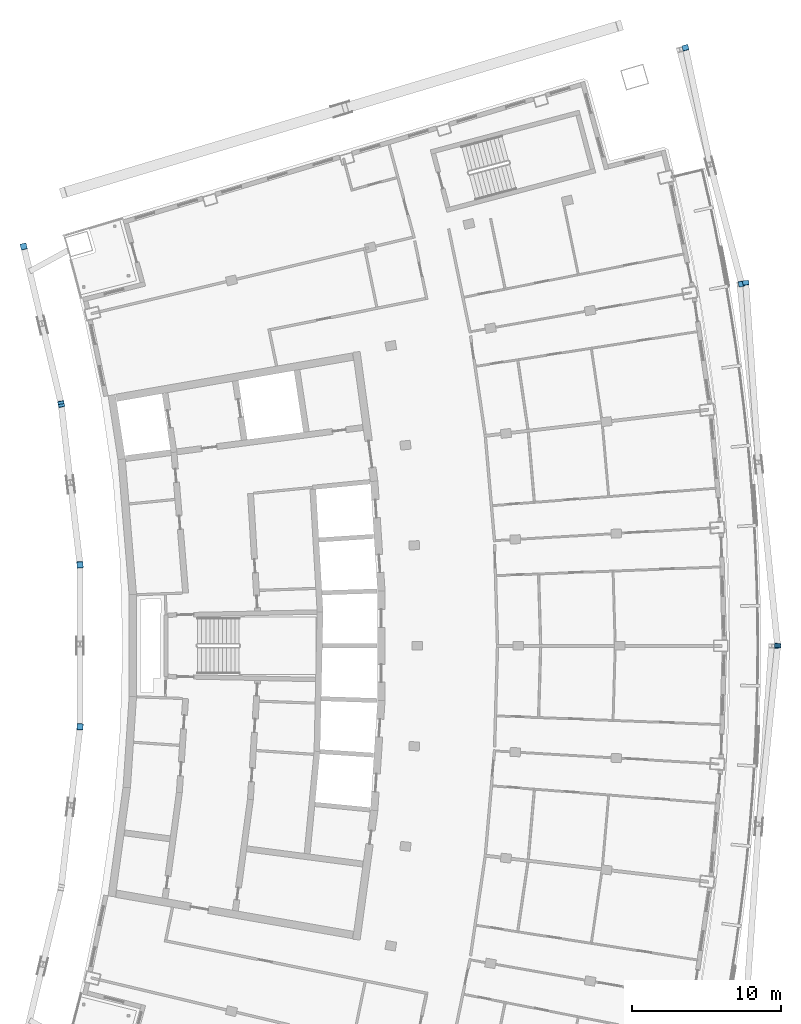
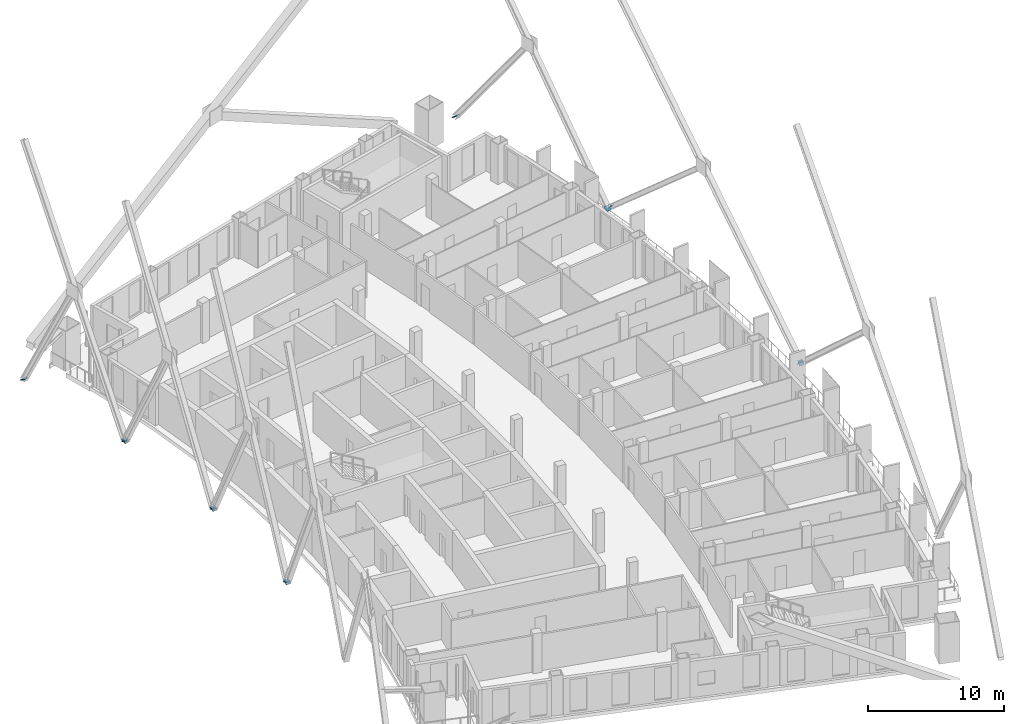
# One storey, part 18 of 21: 12 discrete accessories.
"""IFC4 building model written with IfcOpenShell, lengths in metres."""

import ifcopenshell
import ifcopenshell.guid

model = None  # the IFC model being written
_history = None  # IfcOwnerHistory: only IFC2X3 demands one
_inside = {}  # id of a spatial element -> (the spatial element, [elements in it])
_under = {}  # id of a project, library or spatial element -> (it, [spatial elements below it])
_declared = {}  # id of a project -> (the project, [libraries it declares])
_typed = {}  # id of a type object -> (the type object, [elements of that type])
_made_of = {}  # id of a material, layer set ... -> (it, [elements and type objects made of it])


def new_model(schema):
    """Start an empty IFC model of exactly this schema.

    Asked for "IFC4X3", IfcOpenShell would pick the latest addendum, in which some entities
    have other attributes; the version numbers below select the first issue.
    IFC2X3 requires an IfcOwnerHistory on every rooted entity: one is made here for all.
    """
    global model, _history
    if schema == "IFC4X3":
        model = ifcopenshell.file(schema_version=(4, 3, 0, 0))
    else:
        model = ifcopenshell.file(schema=schema)
    _inside.clear()
    _under.clear()
    _declared.clear()
    _typed.clear()
    _made_of.clear()
    _history = None
    if model.schema == "IFC2X3":
        org = make("IfcOrganization", Name="unknown")
        user = make(
            "IfcPersonAndOrganization",
            ThePerson=make("IfcPerson", FamilyName="unknown"),
            TheOrganization=org,
        )
        app = make(
            "IfcApplication",
            ApplicationDeveloper=org,
            Version="unknown",
            ApplicationFullName="unknown",
            ApplicationIdentifier="unknown",
        )
        _history = make(
            "IfcOwnerHistory",
            OwningUser=user,
            OwningApplication=app,
            ChangeAction="ADDED",
            CreationDate=0,
        )
    return model


def make(cls, **values):
    """One entity of the class cls with the attributes given. An attribute that is None is left unset."""
    return model.create_entity(
        cls, **{name: value for name, value in values.items() if value is not None}
    )


def rooted(cls, **values):
    """An entity with a GlobalId (a new one), such as an element, a storey or a relation."""
    return make(cls, GlobalId=ifcopenshell.guid.new(), OwnerHistory=_history, **values)


def si_unit(unit_type, name, prefix=None):
    """IfcSIUnit, for example si_unit("LENGTHUNIT", "METRE", prefix="MILLI")."""
    return make("IfcSIUnit", UnitType=unit_type, Prefix=prefix, Name=name)


def assignment(units):
    """IfcUnitAssignment: the units of a project."""
    return None if units is None else make("IfcUnitAssignment", Units=units)


def point(xyz):
    """IfcCartesianPoint."""
    return None if xyz is None else make("IfcCartesianPoint", Coordinates=xyz)


def direction(xyz):
    """IfcDirection."""
    return None if xyz is None else make("IfcDirection", DirectionRatios=xyz)


def frame(location, z_axis=None, x_axis=None):
    """IfcAxis2Placement3D, a coordinate frame: its origin and axes. An axis left out is left unset."""
    return make(
        "IfcAxis2Placement3D",
        Location=point(location),
        Axis=direction(z_axis),
        RefDirection=direction(x_axis),
    )


def frame_2d(location, x_axis=None):
    """IfcAxis2Placement2D, a coordinate frame in the plane: its origin and x axis."""
    return make(
        "IfcAxis2Placement2D", Location=point(location), RefDirection=direction(x_axis)
    )


def origin():
    """The frame at (0, 0, 0) with its axes left unset."""
    return frame((0.0, 0.0, 0.0))


def origin_2d():
    """The frame at (0, 0) in the plane with its x axis left unset."""
    return frame_2d((0.0, 0.0))


def place(relative_to, where):
    """IfcLocalPlacement: puts the frame where relative to a parent placement (None: the world)."""
    return make(
        "IfcLocalPlacement", PlacementRelTo=relative_to, RelativePlacement=where
    )


def context(
    kind, dimensions, precision=None, world=None, true_north=None, identifier=None
):
    """IfcGeometricRepresentationContext, for example the 3D "Model" context."""
    return make(
        "IfcGeometricRepresentationContext",
        ContextIdentifier=identifier,
        ContextType=kind,
        CoordinateSpaceDimension=dimensions,
        Precision=precision,
        WorldCoordinateSystem=world,
        TrueNorth=true_north,
    )


def subcontext(parent, identifier, kind, view, scale=None):
    """IfcGeometricRepresentationSubContext, for example "Body" below "Model"."""
    return make(
        "IfcGeometricRepresentationSubContext",
        ContextIdentifier=identifier,
        ContextType=kind,
        ParentContext=parent,
        TargetScale=scale,
        TargetView=view,
    )


def project(units=None, contexts=None):
    """IfcProject with its units and contexts."""
    return rooted(
        "IfcProject",
        Name="project",
        RepresentationContexts=contexts,
        UnitsInContext=assignment(units),
    )


def spatial(cls, under=None, at=None, **own):
    """A site, building, storey or space (cls), placed at a placement, below another one or the project."""
    s = rooted(cls, ObjectPlacement=at, **own)
    if under is not None:
        _under.setdefault(under.id(), (under, []))[1].append(s)
    return s


def profile(cls, at=None, kind="AREA", **sizes):
    """A parametric profile (cls). Its sizes go by their IFC names, for example OverallWidth=200.0."""
    return make(cls, ProfileType=kind, Position=at, **sizes)


def rectangle(**sizes):
    """IfcRectangleProfileDef."""
    return profile("IfcRectangleProfileDef", **sizes)


def extrude(swept, where, along, depth):
    """IfcExtrudedAreaSolid: the profile swept, set in the frame where, extruded along a direction by depth."""
    return make(
        "IfcExtrudedAreaSolid",
        SweptArea=swept,
        Position=where,
        ExtrudedDirection=direction(along),
        Depth=depth,
    )


def shape(context_of_items, identifier, shape_type, items):
    """IfcShapeRepresentation: the items that make up one representation, for example the "Body"."""
    return make(
        "IfcShapeRepresentation",
        ContextOfItems=context_of_items,
        RepresentationIdentifier=identifier,
        RepresentationType=shape_type,
        Items=items,
    )


def material(Name=None, Category=None):
    """IfcMaterial."""
    return make("IfcMaterial", Name=Name, Category=Category)


def material_profile(
    of_material, cross_section, Name=None, Category=None, Priority=None
):
    """IfcMaterialProfile: a cross section and its material."""
    return make(
        "IfcMaterialProfile",
        Name=Name,
        Material=of_material,
        Profile=cross_section,
        Priority=Priority,
        Category=Category,
    )


def profile_set(profiles, Name=None, composite=None):
    """IfcMaterialProfileSet."""
    return make(
        "IfcMaterialProfileSet",
        Name=Name,
        MaterialProfiles=profiles,
        CompositeProfile=composite,
    )


def made_of(thing, what):
    """Note that an element or type object is made of a material, layer set ...; save() writes the relation."""
    if what is not None:
        _made_of.setdefault(what.id(), (what, []))[1].append(thing)
    return thing


def type_object(cls, material=None, **own):
    """A type object (cls), such as IfcWallType, which elements share."""
    return made_of(rooted(cls, **own), material)


def element(
    cls,
    number,
    at=None,
    inside=None,
    cuts=None,
    type_object=None,
    material=None,
    context=None,
    identifier="Body",
    shape_type=None,
    held_by="IfcProductDefinitionShape",
    body=None,
    shapes=None,
    **own,
):
    """One element of the class cls, such as IfcWall. Its Tag is "e" and its number.

    at: its placement. inside: the storey or other place that contains it. cuts: it is an
    opening in that element (IfcRelVoidsElement). A single representation is given by context,
    identifier, shape_type and body (its items); several are given by shapes. held_by: the class
    of the entity that holds the representations. save() writes the other relations.
    """
    e = rooted(cls, Tag="e%d" % number, ObjectPlacement=at, **own)
    if body is not None:
        shapes = [shape(context, identifier, shape_type, body)]
    if shapes is not None:
        e.Representation = make(held_by, Representations=shapes)
    if inside is not None:
        _inside.setdefault(inside.id(), (inside, []))[1].append(e)
    if cuts is not None:
        rooted(
            "IfcRelVoidsElement", RelatingBuildingElement=cuts, RelatedOpeningElement=e
        )
    if type_object is not None:
        _typed.setdefault(type_object.id(), (type_object, []))[1].append(e)
    return made_of(e, material)


def aggregate(whole, parts):
    """IfcRelAggregates: a whole, such as a stair, and the parts it consists of."""
    return rooted("IfcRelAggregates", RelatingObject=whole, RelatedObjects=parts)


def save(model, path):
    """Write the relations noted so far, then the file.

    IfcRelAggregates (storeys below a building ...), IfcRelContainedInSpatialStructure (elements
    in a storey), IfcRelDefinesByType, IfcRelAssociatesMaterial and IfcRelDeclares: one each for
    every whole, place, type object, material and project.
    """
    for whole, parts in _under.values():
        aggregate(whole, parts)
    for where, things in _inside.values():
        rooted(
            "IfcRelContainedInSpatialStructure",
            RelatedElements=things,
            RelatingStructure=where,
        )
    for kind, things in _typed.values():
        rooted("IfcRelDefinesByType", RelatedObjects=things, RelatingType=kind)
    for what, things in _made_of.values():
        rooted("IfcRelAssociatesMaterial", RelatedObjects=things, RelatingMaterial=what)
    for by, libraries in _declared.values():
        rooted("IfcRelDeclares", RelatingContext=by, RelatedDefinitions=libraries)
    model.write(path)


model = new_model("IFC4")

# Units and contexts
model_context = context("Model", 3, precision=1e-05, world=origin(), true_north=direction((0.0, 1.0)))
body_context = subcontext(model_context, "Body", "Model", "MODEL_VIEW")
ifc_project = project(units=[si_unit("LENGTHUNIT", "METRE"), si_unit("AREAUNIT", "SQUARE_METRE"), si_unit("VOLUMEUNIT", "CUBIC_METRE"), si_unit("PLANEANGLEUNIT", "RADIAN"), si_unit("MASSUNIT", "GRAM", prefix="KILO")], contexts=[model_context])

# Site, building, storey
site_placement = place(None, origin())
site = spatial("IfcSite", under=ifc_project, at=site_placement, CompositionType="ELEMENT")
building_placement = place(site_placement, origin())
building = spatial("IfcBuilding", under=site, at=building_placement, Name="Alderwake Tower", CompositionType="ELEMENT")
storey_placement = place(building_placement, frame((0.0, 0.0, 267.199951171875)))
storey = spatial("IfcBuildingStorey", under=building, at=storey_placement, Name="L66", CompositionType="ELEMENT", Elevation=267.199951171875)

# Discrete accessories
ifc_material = material(Name="Steel ASTM A572 Grade 50", Category="steel")
ifc_material_profile = material_profile(ifc_material, rectangle(XDim=0.41552734375, YDim=0.445556640625, at=origin_2d()), Name="W14X342 cap")
ifc_profile_set = profile_set([ifc_material_profile], Name="Steel ASTM A572 Grade 50")
discrete_accessory_type = type_object("IfcDiscreteAccessoryType", Name="End cap plate W14X342", PredefinedType="USERDEFINED", material=ifc_profile_set)
discrete_accessory_1_placement = place(storey_placement, frame((60.023681640625, 61.0, 0.0), z_axis=(0.040756957297, 0.749928014264, 0.660262708211), x_axis=(-0.998526420466, 0.054267740243, 0.0)))
element("IfcDiscreteAccessory", 1, at=discrete_accessory_1_placement, inside=storey, type_object=discrete_accessory_type, Name="End cap BRF5.1.4A N", ObjectType="END CAP", PredefinedType="USERDEFINED", context=body_context, shape_type="SweptSolid", body=[
    extrude(rectangle(XDim=0.41552734375, YDim=0.445556640625, at=origin_2d()), origin(), (0.0, 0.0, 1.0), 0.030029296875),
])
discrete_accessory_2_placement = place(storey_placement, frame((57.885009765625, 85.37939453125, 0.0), z_axis=(-0.089925600621, 0.743929968771, 0.662179422753), x_axis=(-0.99277322032, -0.120005554105, 0.0)))
element("IfcDiscreteAccessory", 2, at=discrete_accessory_2_placement, inside=storey, type_object=discrete_accessory_type, Name="End cap BRF5.1.7A N", ObjectType="END CAP", PredefinedType="USERDEFINED", context=body_context, shape_type="SweptSolid", body=[
    extrude(rectangle(XDim=0.41552734375, YDim=0.445556640625, at=origin_2d()), origin(), (0.0, 0.0, 1.0), 0.02978515625),
])
for number, where, z_axis, x_axis, name in (
    (3, (60.023681640625, 61.0, 0.0), (0.040756957297, -0.749928014264, 0.660262708211), (0.998526420466, 0.054267740243, 0.0), "End cap BRF5.1.7B2 N"),
    (4, (53.831298828125, 101.179931640625, 0.0), (-0.162285493843, 0.584227777833, 0.795198919828), (-0.96351790963, -0.267643863786, 0.0), "End cap BRF5.1.10A N"),
    (5, (57.598388671875, 85.32861328125, 0.0), (0.113821138211, -0.593495934959, 0.79674796748), (0.982102279235, 0.188348382319, 0.0), "End cap BRF5.1.10B2 N"),
    (6, (13.141357421875, 55.560546875, 0.0), (0.048728980643, 0.446682322562, 0.893364645123), (-0.994102176608, 0.108447510175, 0.0), "End cap BRR5.1.4A N"),
    (7, (13.141357421875, 66.439453125, 0.0), (0.0, 0.4472135955, 0.894427191), (-1.0, 0.0, 0.0), "End cap BRR5.1.6A N"),
    (8, (13.141357421875, 55.560546875, 0.0), (0.0, -0.4472135955, 0.894427191), (1.0, 0.0, 0.0), "End cap BRR5.1.6B2 N"),
    (9, (11.875, 77.244384765625, 0.0), (-0.056826119483, 0.446490938798, 0.892981877596), (-0.991997911724, -0.126254279674, 0.0), "End cap BRR5.1.8A N"),
    (10, (13.141357421875, 66.439453125, 0.0), (0.048728980643, -0.446682322562, 0.893364645123), (0.994102176608, 0.108447510175, 0.0), "End cap BRR5.1.8B2 N"),
    (11, (9.359619140625, 87.828369140625, 0.0), (-0.105869651339, 0.43162242469, 0.895820126716), (-0.971210844098, -0.238221527798, 0.0), "End cap BRR5.1.10A N"),
    (12, (11.875, 77.244384765625, 0.0), (0.105495990526, -0.438214114494, 0.892658381376), (0.972223637158, 0.234053838575, 0.0), "End cap BRR5.1.10B2 N"),
):
    element("IfcDiscreteAccessory", number, at=place(storey_placement, frame(where, z_axis=z_axis, x_axis=x_axis)), inside=storey, type_object=discrete_accessory_type, Name=name, ObjectType="END CAP", PredefinedType="USERDEFINED", context=body_context, shape_type="SweptSolid", body=[
        extrude(rectangle(XDim=0.41552734375, YDim=0.445556640625, at=origin_2d()), origin(), (0.0, 0.0, 1.0), 0.030029296875),
    ])

save(model, "model.ifc")
